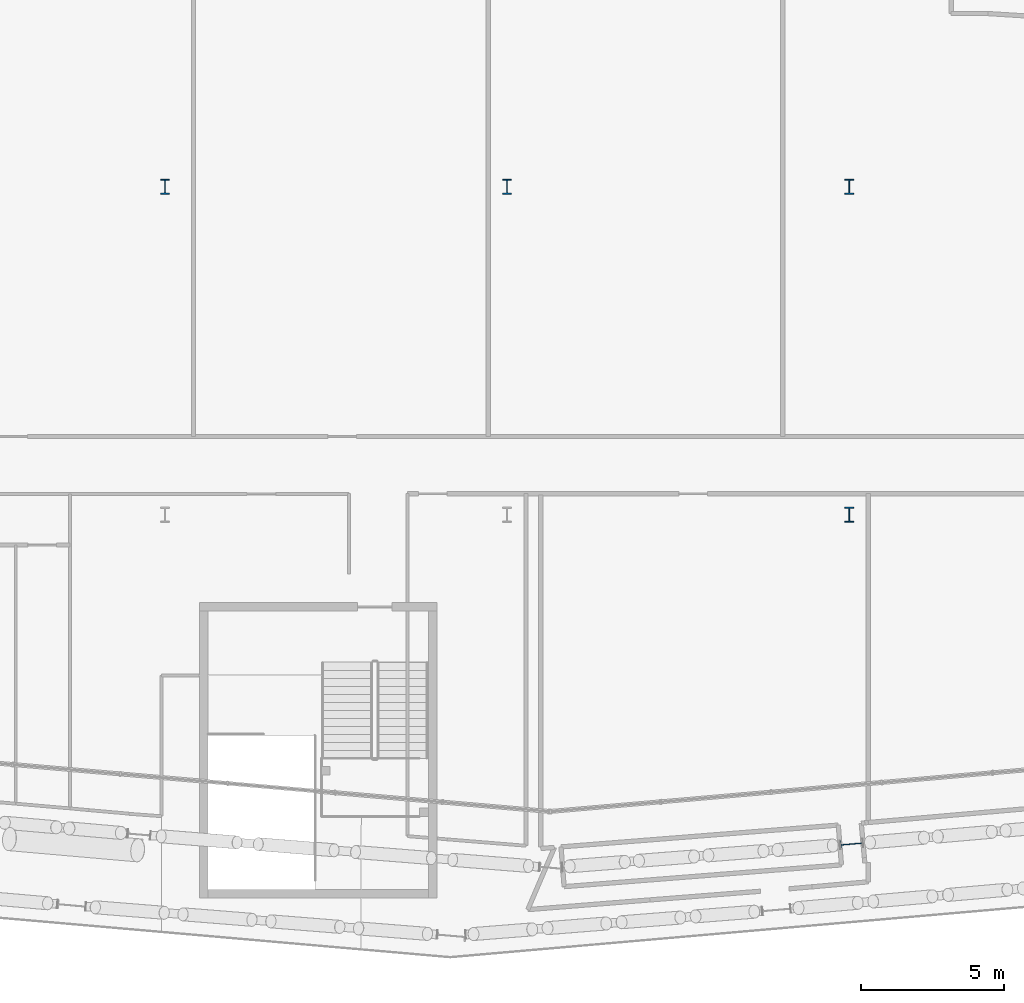
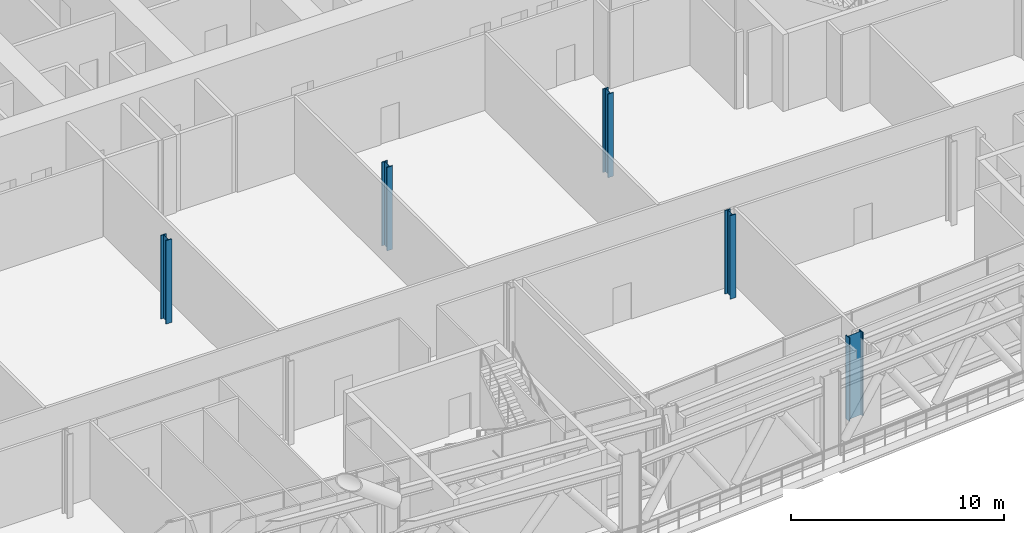
# One storey, part 2 of 39: 5 columns.
"""IFC4 building model written with IfcOpenShell, lengths in metres."""

from ifc_helpers import new_model, si_unit, direction, frame, origin, origin_2d, place, context, subcontext, project, spatial, i_section, extrude, material, material_profile, profile_set, type_object, element, save


model = new_model("IFC4")

# Units and contexts
model_context = context("Model", 3, precision=1e-05, world=origin(), true_north=direction((0.0, 1.0)))
body_context = subcontext(model_context, "Body", "Model", "MODEL_VIEW")
ifc_project = project(units=[si_unit("LENGTHUNIT", "METRE"), si_unit("AREAUNIT", "SQUARE_METRE"), si_unit("VOLUMEUNIT", "CUBIC_METRE"), si_unit("PLANEANGLEUNIT", "RADIAN"), si_unit("MASSUNIT", "GRAM", prefix="KILO")], contexts=[model_context])

# Site, building, storey
site_placement = place(None, origin())
site = spatial("IfcSite", under=ifc_project, at=site_placement, CompositionType="ELEMENT")
building_placement = place(site_placement, origin())
building = spatial("IfcBuilding", under=site, at=building_placement, Name="Wharfspan Tower", CompositionType="ELEMENT")
storey_placement = place(building_placement, frame((0.0, 0.0, 91.899902)))
storey = spatial("IfcBuildingStorey", under=building, at=storey_placement, Name="L20", CompositionType="ELEMENT", Elevation=91.899902)

# Columns
ifc_material = material(Name="Steel S355J2", Category="steel")
ifc_material_profile_1 = material_profile(ifc_material, i_section(OverallWidth=0.305908, OverallDepth=0.523926, WebThickness=0.020996, FlangeThickness=0.040039, FilletRadius=0.0271, at=origin_2d()))
ifc_profile_set_1 = profile_set([ifc_material_profile_1], Name="Steel S355J2")
column_type_1 = type_object("IfcColumnType", Name="Column HEM 500", PredefinedType="COLUMN", material=ifc_profile_set_1)
for number, where, z_axis, x_axis, name in (
    (1, (60.0, 11.5, 0.0), (0.0, 0.0, 1.0), (1.0, 0.0, 0.0), "Interior column I.1.5 L20"),
    (2, (36.0, 23.0, 0.0), (0.0, 0.0, 1.0), (1.0, 0.0, 0.0), "Interior column I.2.2 L20"),
    (3, (48.0, 23.0, 0.0), (0.0, 0.0, 1.0), (1.0, 0.0, 0.0), "Interior column I.2.3 L20"),
    (4, (60.0, 23.0, 0.0), (0.0, 0.0, 1.0), (1.0, 0.0, 0.0), "Interior column I.2.4 L20"),
):
    element("IfcColumn", number, at=place(storey_placement, frame(where, z_axis=z_axis, x_axis=x_axis)), inside=storey, type_object=column_type_1, Name=name, PredefinedType="COLUMN", context=body_context, shape_type="SweptSolid", body=[
        extrude(i_section(OverallWidth=0.305908, OverallDepth=0.523926, WebThickness=0.020996, FlangeThickness=0.040039, FilletRadius=0.0271, at=origin_2d()), origin(), (0.0, 0.0, 1.0), 4.800049),
    ])
ifc_material_profile_2 = material_profile(ifc_material, i_section(OverallWidth=0.302979, OverallDepth=0.813965, WebThickness=0.020996, FlangeThickness=0.040039, FilletRadius=0.030029, at=origin_2d()))
ifc_profile_set_2 = profile_set([ifc_material_profile_2], Name="Steel S355J2")
column_type_2 = type_object("IfcColumnType", Name="Column HEM 800", PredefinedType="COLUMN", material=ifc_profile_set_2)
column_placement = place(storey_placement, frame((60.077881, -0.050781, 0.0), z_axis=(0.0, 0.0, 1.0), x_axis=(0.087156, -0.996198, 0.0)))
element("IfcColumn", 5, at=column_placement, inside=storey, type_object=column_type_2, Name="Perimeter column PS2.1 L20", PredefinedType="COLUMN", context=body_context, shape_type="SweptSolid", body=[
    extrude(i_section(OverallWidth=0.302979, OverallDepth=0.813965, WebThickness=0.020996, FlangeThickness=0.040039, FilletRadius=0.030029, at=origin_2d()), origin(), (0.0, 0.0, 1.0), 4.800049),
])

save(model, "model.ifc")
